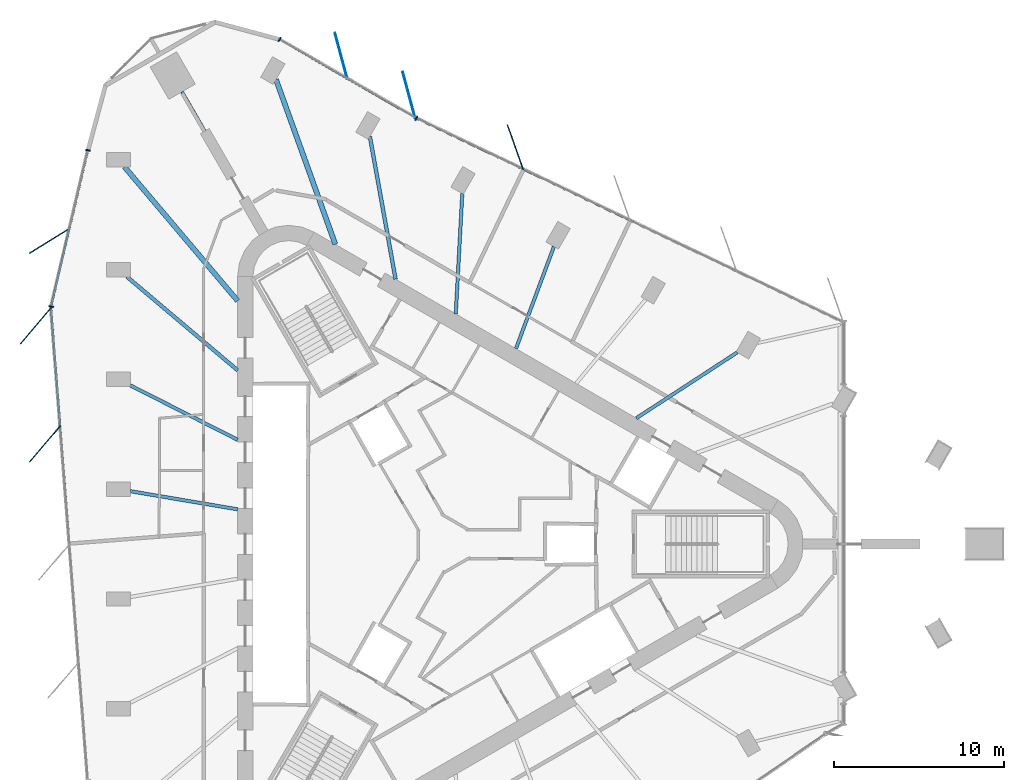
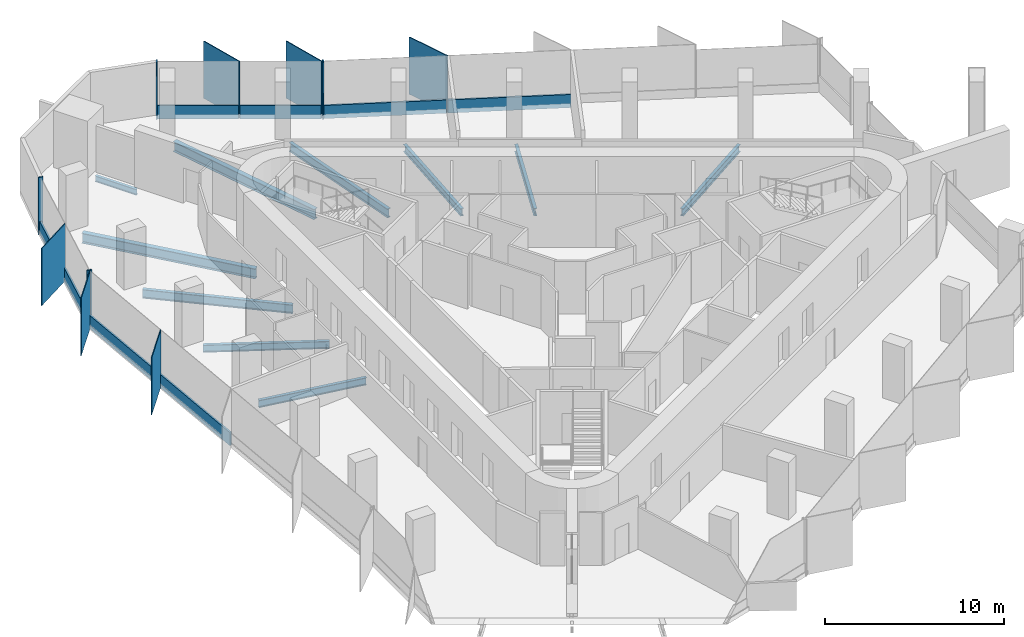
# One storey, part 4 of 12: 18 members, 10 beams, 4 elements without a shape of their own.
"""IFC4 building model written with IfcOpenShell, lengths in metres."""

from ifc_helpers import new_model, si_unit, direction, frame, origin, origin_2d, place, context, subcontext, project, spatial, rectangle, i_section, extrude, material, material_profile, profile_set, type_object, element, aggregate, save


model = new_model("IFC4")

# Units and contexts
model_context = context("Model", 3, precision=1e-05, world=origin(), true_north=direction((0.0, 1.0)))
body_context = subcontext(model_context, "Body", "Model", "MODEL_VIEW")
ifc_project = project(units=[si_unit("LENGTHUNIT", "METRE"), si_unit("AREAUNIT", "SQUARE_METRE"), si_unit("VOLUMEUNIT", "CUBIC_METRE"), si_unit("PLANEANGLEUNIT", "RADIAN"), si_unit("MASSUNIT", "GRAM", prefix="KILO")], contexts=[model_context])

# Site, building, storey
site_placement = place(None, origin())
site = spatial("IfcSite", under=ifc_project, at=site_placement, CompositionType="ELEMENT")
building_placement = place(site_placement, origin())
building = spatial("IfcBuilding", under=site, at=building_placement, Name="Tanit Gate Tower", CompositionType="ELEMENT")
storey_placement = place(building_placement, frame((0.0, 0.0, 372.800048828125)))
storey = spatial("IfcBuildingStorey", under=building, at=storey_placement, Name="L85", CompositionType="ELEMENT", Elevation=372.800048828125)

# Curtain wall, member
ifc_material_1 = material(Name="Aluminium bronze anodised and glass", Category="aluminium")
curtain_wall_type = type_object("IfcCurtainWallType", Name="Curtain wall typical high", PredefinedType="NOTDEFINED", material=ifc_material_1)
curtain_wall_1_placement = place(storey_placement, origin())
curtain_wall_1 = element("IfcCurtainWall", 1, at=curtain_wall_1_placement, inside=storey, type_object=curtain_wall_type, Name="Curtain wall L85 NE2c", PredefinedType="NOTDEFINED")
ifc_material_2 = material(Name="Aluminium bronze anodised", Category="aluminium")
ifc_material_profile_1 = material_profile(ifc_material_2, rectangle(XDim=2.800048828125, YDim=0.055908203125, at=origin_2d()), Name="56x2800 bronze fin mullion")
ifc_profile_set_1 = profile_set([ifc_material_profile_1], Name="Aluminium bronze anodised")
member_type_1 = type_object("IfcMemberType", Name="FIN MULLION 56x2800 bronze", PredefinedType="MULLION", material=ifc_profile_set_1)
member_1_placement = place(storey_placement, frame((4.23779296875, 23.365478515625, -0.300048828125), z_axis=(0.0, 0.0, 1.0), x_axis=(0.333090099539, -0.94289500242, 0.0)))
member_1 = element("IfcMember", 2, at=member_1_placement, type_object=member_type_1, Name="Fin mullion L85 NE2c.4", PredefinedType="MULLION", context=body_context, shape_type="SweptSolid", body=[
    extrude(rectangle(XDim=2.800048828125, YDim=0.055908203125, at=origin_2d()), origin(), (0.0, 0.0, 1.0), 3.89990234375),
])

# Curtain wall, members
curtain_wall_2_placement = place(storey_placement, origin())
curtain_wall_2 = element("IfcCurtainWall", 3, at=curtain_wall_2_placement, inside=storey, type_object=curtain_wall_type, Name="Curtain wall L85 NE3", PredefinedType="NOTDEFINED")
member_2_placement = place(storey_placement, frame((-2.0146484375, 26.436279296875, -0.300048828125), z_axis=(0.0, 0.0, 1.0), x_axis=(0.260143837676, -0.96556987511, 0.0)))
member_2 = element("IfcMember", 4, at=member_2_placement, type_object=member_type_1, Name="Fin mullion L85 NE3.1", PredefinedType="MULLION", context=body_context, shape_type="SweptSolid", body=[
    extrude(rectangle(XDim=2.800048828125, YDim=0.055908203125, at=origin_2d()), origin(), (0.0, 0.0, 1.0), 3.89990234375),
])
member_3_placement = place(storey_placement, frame((-6.00537109375, 28.733154296875, -0.300048828125), z_axis=(0.0, 0.0, 1.0), x_axis=(0.260143837676, -0.96556987511, 0.0)))
member_3 = element("IfcMember", 5, at=member_3_placement, type_object=member_type_1, Name="Fin mullion L85 NE3.2", PredefinedType="MULLION", context=body_context, shape_type="SweptSolid", body=[
    extrude(rectangle(XDim=2.800048828125, YDim=0.055908203125, at=origin_2d()), origin(), (0.0, 0.0, 1.0), 3.89990234375),
])

# Curtain wall, member
curtain_wall_3_placement = place(storey_placement, origin())
curtain_wall_3 = element("IfcCurtainWall", 6, at=curtain_wall_3_placement, inside=storey, type_object=curtain_wall_type, Name="Curtain wall L85 W1", PredefinedType="NOTDEFINED")
member_4_placement = place(storey_placement, frame((-23.168212890625, 17.8544921875, -0.300048828125), z_axis=(0.0, 0.0, 1.0), x_axis=(0.850209270383, 0.526444865637, 0.0)))
member_4 = element("IfcMember", 7, at=member_4_placement, type_object=member_type_1, Name="Fin mullion L85 W1.2", PredefinedType="MULLION", context=body_context, shape_type="SweptSolid", body=[
    extrude(rectangle(XDim=2.800048828125, YDim=0.055908203125, at=origin_2d()), origin(), (0.0, 0.0, 1.0), 3.89990234375),
])

# Curtain wall, members
curtain_wall_4_placement = place(storey_placement, origin())
curtain_wall_4 = element("IfcCurtainWall", 8, at=curtain_wall_4_placement, inside=storey, type_object=curtain_wall_type, Name="Curtain wall L85 W2", PredefinedType="NOTDEFINED")
member_5_placement = place(storey_placement, frame((-23.980224609375, 12.852294921875, -0.300048828125), z_axis=(0.0, 0.0, 1.0), x_axis=(0.650025975428, 0.75991198916, 0.0)))
member_5 = element("IfcMember", 9, at=member_5_placement, type_object=member_type_1, Name="Fin mullion L85 W2.1", PredefinedType="MULLION", context=body_context, shape_type="SweptSolid", body=[
    extrude(rectangle(XDim=2.800048828125, YDim=0.055908203125, at=origin_2d()), origin(), (0.0, 0.0, 1.0), 3.89990234375),
])
member_6_placement = place(storey_placement, frame((-23.438232421875, 5.900634765625, -0.300048828125), z_axis=(0.0, 0.0, 1.0), x_axis=(0.650025975428, 0.75991198916, 0.0)))
member_6 = element("IfcMember", 10, at=member_6_placement, type_object=member_type_1, Name="Fin mullion L85 W2.2", PredefinedType="MULLION", context=body_context, shape_type="SweptSolid", body=[
    extrude(rectangle(XDim=2.800048828125, YDim=0.055908203125, at=origin_2d()), origin(), (0.0, 0.0, 1.0), 3.89990234375),
])

# Member
ifc_material_3 = material(Name="Aluminium bronze anodised", Category="aluminium")
ifc_material_profile_2 = material_profile(ifc_material_3, rectangle(XDim=0.280029296875, YDim=0.080078125, at=origin_2d()), Name="80x280 bronze mullion")
ifc_profile_set_2 = profile_set([ifc_material_profile_2], Name="Aluminium bronze anodised")
member_type_2 = type_object("IfcMemberType", Name="Mullion 80x280 typical high", PredefinedType="MULLION", material=ifc_profile_set_2)
member_7_placement = place(storey_placement, frame((-1.584716796875, 25.06640625, -0.300048828125), z_axis=(0.0, 0.0, 1.0), x_axis=(-0.431197182029, -0.902257718288, 0.0)))
member_7 = element("IfcMember", 11, at=member_7_placement, type_object=member_type_2, Name="Mullion L85 NE2c.5", PredefinedType="MULLION", context=body_context, shape_type="SweptSolid", body=[
    extrude(rectangle(XDim=0.280029296875, YDim=0.080078125, at=origin_2d()), origin(), (0.0, 0.0, 1.0), 3.89990234375),
])

member_8_placement = place(storey_placement, frame((-9.63720703125, 29.697265625, -0.300048828125), z_axis=(0.0, 0.0, 1.0), x_axis=(-0.498811534695, -0.866710478104, 0.0)))
member_8 = element("IfcMember", 12, at=member_8_placement, type_object=member_type_2, Name="Mullion L85 NE3.3", PredefinedType="MULLION", context=body_context, shape_type="SweptSolid", body=[
    extrude(rectangle(XDim=0.280029296875, YDim=0.080078125, at=origin_2d()), origin(), (0.0, 0.0, 1.0), 3.89990234375),
])

member_9_placement = place(storey_placement, frame((-20.91259765625, 23.182373046875, -0.300048828125), z_axis=(0.0, 0.0, 1.0), x_axis=(0.973441474928, -0.228936006103, 0.0)))
member_9 = element("IfcMember", 13, at=member_9_placement, type_object=member_type_2, Name="Mullion L85 W1.1", PredefinedType="MULLION", context=body_context, shape_type="SweptSolid", body=[
    extrude(rectangle(XDim=0.280029296875, YDim=0.080078125, at=origin_2d()), origin(), (0.0, 0.0, 1.0), 3.89990234375),
])

member_10_placement = place(storey_placement, frame((-23.076904296875, 13.97998046875, -0.300048828125), z_axis=(0.0, 0.0, 1.0), x_axis=(0.973441474928, -0.228936006103, 0.0)))
member_10 = element("IfcMember", 14, at=member_10_placement, type_object=member_type_2, Name="Mullion L85 W1.3", PredefinedType="MULLION", context=body_context, shape_type="SweptSolid", body=[
    extrude(rectangle(XDim=0.280029296875, YDim=0.080078125, at=origin_2d()), origin(), (0.0, 0.0, 1.0), 3.89990234375),
])

# Beams
ifc_material_4 = material(Name="Steel S355", Category="steel")
ifc_material_profile_3 = material_profile(ifc_material_4, i_section(OverallWidth=0.300048828125, OverallDepth=0.68994140625, WebThickness=0.014404296875, FlangeThickness=0.027099609375, FilletRadius=0.027099609375, at=origin_2d()), Name="HEA 700")
ifc_profile_set_3 = profile_set([ifc_material_profile_3], Name="Steel S355")
beam_type_1 = type_object("IfcBeamType", Name="RADIAL GIRDER HEA 700 S355", PredefinedType="BEAM", material=ifc_profile_set_3)
beam_1_placement = place(storey_placement, frame((-9.84423828125, 27.346435546875, -0.64501953125), z_axis=(0.338716116064, -0.940888618657, 0.0), x_axis=(0.940888618657, 0.338716116064, 0.0)))
element("IfcBeam", 15, at=beam_1_placement, inside=storey, type_object=beam_type_1, Name="RADIAL GIRDER", PredefinedType="BEAM", context=body_context, shape_type="SweptSolid", body=[
    extrude(i_section(OverallWidth=0.300048828125, OverallDepth=0.68994140625, WebThickness=0.014404296875, FlangeThickness=0.027099609375, FilletRadius=0.027099609375, at=origin_2d()), origin(), (0.0, 0.0, 1.0), 10.31591796875),
])
beam_2_placement = place(storey_placement, frame((-18.7607421875, 22.198486328125, -0.64501953125), z_axis=(0.645485929832, -0.763772161308, 0.0), x_axis=(0.763772161308, 0.645485929832, 0.0)))
element("IfcBeam", 16, at=beam_2_placement, inside=storey, type_object=beam_type_1, Name="RADIAL GIRDER", PredefinedType="BEAM", context=body_context, shape_type="SweptSolid", body=[
    extrude(i_section(OverallWidth=0.300048828125, OverallDepth=0.68994140625, WebThickness=0.014404296875, FlangeThickness=0.027099609375, FilletRadius=0.027099609375, at=origin_2d()), origin(), (0.0, 0.0, 1.0), 10.315673828125),
])
ifc_material_5 = material(Name="Steel S355", Category="steel")
ifc_material_profile_4 = material_profile(ifc_material_5, i_section(OverallWidth=0.179931640625, OverallDepth=0.39990234375, WebThickness=0.008544921875, FlangeThickness=0.013427734375, FilletRadius=0.02099609375, at=origin_2d()), Name="IPE 400")
ifc_profile_set_4 = profile_set([ifc_material_profile_4], Name="Steel S355")
beam_type_2 = type_object("IfcBeamType", Name="RADIAL GIRDER IPE 400 S355", PredefinedType="BEAM", material=ifc_profile_set_4)
beam_3_placement = place(storey_placement, frame((-15.371826171875, 26.624755859375, -0.5), z_axis=(0.500020336772, -0.866013662025, 0.0), x_axis=(0.866013662025, 0.500020336772, 0.0)))
element("IfcBeam", 17, at=beam_3_placement, inside=storey, type_object=beam_type_2, Name="RADIAL GIRDER", PredefinedType="BEAM", context=body_context, shape_type="SweptSolid", body=[
    extrude(i_section(OverallWidth=0.179931640625, OverallDepth=0.39990234375, WebThickness=0.008544921875, FlangeThickness=0.013427734375, FilletRadius=0.02099609375, at=origin_2d()), origin(), (0.0, 0.0, 1.0), 2.67236328125),
])
ifc_material_6 = material(Name="Steel S355", Category="steel")
ifc_material_profile_5 = material_profile(ifc_material_6, i_section(OverallWidth=0.199951171875, OverallDepth=0.5, WebThickness=0.01025390625, FlangeThickness=0.01611328125, FilletRadius=0.02099609375, at=origin_2d()), Name="IPE 500")
ifc_profile_set_5 = profile_set([ifc_material_profile_5], Name="Steel S355")
beam_type_3 = type_object("IfcBeamType", Name="RADIAL GIRDER IPE 500 S355", PredefinedType="BEAM", material=ifc_profile_set_5)
beam_4_placement = place(storey_placement, frame((17.29931640625, 11.28173828125, -0.550048828125), z_axis=(-0.837617453042, -0.546257267557, 0.0), x_axis=(0.546257267557, -0.837617453042, 0.0)))
element("IfcBeam", 18, at=beam_4_placement, inside=storey, type_object=beam_type_3, Name="RADIAL GIRDER", PredefinedType="BEAM", context=body_context, shape_type="SweptSolid", body=[
    extrude(i_section(OverallWidth=0.199951171875, OverallDepth=0.5, WebThickness=0.01025390625, FlangeThickness=0.01611328125, FilletRadius=0.02099609375, at=origin_2d()), origin(), (0.0, 0.0, 1.0), 7.083984375),
])
beam_5_placement = place(storey_placement, frame((6.513427734375, 17.5087890625, -0.550048828125), z_axis=(-0.348675335888, -0.93724357034, 0.0), x_axis=(0.93724357034, -0.348675335888, 0.0)))
element("IfcBeam", 19, at=beam_5_placement, inside=storey, type_object=beam_type_3, Name="RADIAL GIRDER", PredefinedType="BEAM", context=body_context, shape_type="SweptSolid", body=[
    extrude(i_section(OverallWidth=0.199951171875, OverallDepth=0.5, WebThickness=0.01025390625, FlangeThickness=0.01611328125, FilletRadius=0.02099609375, at=origin_2d()), origin(), (0.0, 0.0, 1.0), 6.407470703125),
])
beam_6_placement = place(storey_placement, frame((1.12060546875, 20.62255859375, -0.550048828125), z_axis=(-0.054280812933, -0.998525709908, 0.0), x_axis=(0.998525709908, -0.054280812933, 0.0)))
element("IfcBeam", 20, at=beam_6_placement, inside=storey, type_object=beam_type_3, Name="RADIAL GIRDER", PredefinedType="BEAM", context=body_context, shape_type="SweptSolid", body=[
    extrude(i_section(OverallWidth=0.199951171875, OverallDepth=0.5, WebThickness=0.01025390625, FlangeThickness=0.01611328125, FilletRadius=0.02099609375, at=origin_2d()), origin(), (0.0, 0.0, 1.0), 7.083984375),
])
beam_7_placement = place(storey_placement, frame((-18.419921875, 9.3408203125, -0.550048828125), z_axis=(0.891876205065, -0.452279598078, 0.0), x_axis=(0.452279598078, 0.891876205065, 0.0)))
element("IfcBeam", 21, at=beam_7_placement, inside=storey, type_object=beam_type_3, Name="RADIAL GIRDER", PredefinedType="BEAM", context=body_context, shape_type="SweptSolid", body=[
    extrude(i_section(OverallWidth=0.199951171875, OverallDepth=0.5, WebThickness=0.01025390625, FlangeThickness=0.01611328125, FilletRadius=0.02099609375, at=origin_2d()), origin(), (0.0, 0.0, 1.0), 7.083740234375),
])
beam_8_placement = place(storey_placement, frame((-18.419921875, 3.113525390625, -0.550048828125), z_axis=(0.986014426504, -0.166659985375, 0.0), x_axis=(0.166659985375, 0.986014426504, 0.0)))
element("IfcBeam", 22, at=beam_8_placement, inside=storey, type_object=beam_type_3, Name="RADIAL GIRDER", PredefinedType="BEAM", context=body_context, shape_type="SweptSolid", body=[
    extrude(i_section(OverallWidth=0.199951171875, OverallDepth=0.5, WebThickness=0.01025390625, FlangeThickness=0.01611328125, FilletRadius=0.02099609375, at=origin_2d()), origin(), (0.0, 0.0, 1.0), 6.407470703125),
])
ifc_material_7 = material(Name="Steel S355", Category="steel")
ifc_material_profile_6 = material_profile(ifc_material_7, i_section(OverallWidth=0.219970703125, OverallDepth=0.60009765625, WebThickness=0.011962890625, FlangeThickness=0.01904296875, FilletRadius=0.02392578125, at=origin_2d()), Name="IPE 600")
ifc_profile_set_6 = profile_set([ifc_material_profile_6], Name="Steel S355")
beam_type_4 = type_object("IfcBeamType", Name="RADIAL GIRDER IPE 600 S355", PredefinedType="BEAM", material=ifc_profile_set_6)
beam_9_placement = place(storey_placement, frame((-4.318115234375, 23.990234375, -0.60009765625), z_axis=(0.177157433794, -0.984182525577, 0.0), x_axis=(0.984182525577, 0.177157433794, 0.0)))
element("IfcBeam", 23, at=beam_9_placement, inside=storey, type_object=beam_type_4, Name="RADIAL GIRDER", PredefinedType="BEAM", context=body_context, shape_type="SweptSolid", body=[
    extrude(i_section(OverallWidth=0.219970703125, OverallDepth=0.60009765625, WebThickness=0.011962890625, FlangeThickness=0.01904296875, FilletRadius=0.02392578125, at=origin_2d()), origin(), (0.0, 0.0, 1.0), 8.530517578125),
])
beam_10_placement = place(storey_placement, frame((-18.616943359375, 15.734619140625, -0.60009765625), z_axis=(0.763747676896, -0.645514899933, 0.0), x_axis=(0.645514899933, 0.763747676896, 0.0)))
element("IfcBeam", 24, at=beam_10_placement, inside=storey, type_object=beam_type_4, Name="RADIAL GIRDER", PredefinedType="BEAM", context=body_context, shape_type="SweptSolid", body=[
    extrude(i_section(OverallWidth=0.219970703125, OverallDepth=0.60009765625, WebThickness=0.011962890625, FlangeThickness=0.01904296875, FilletRadius=0.02392578125, at=origin_2d()), origin(), (0.0, 0.0, 1.0), 8.5302734375),
])

# Member
ifc_material_8 = material(Name="Aluminium bronze anodised", Category="aluminium")
ifc_material_profile_7 = material_profile(ifc_material_8, rectangle(XDim=0.1201171875, YDim=0.89990234375, at=origin_2d()), Name="120x900 bronze transom")
ifc_profile_set_7 = profile_set([ifc_material_profile_7], Name="Aluminium bronze anodised")
member_type_3 = type_object("IfcMemberType", Name="Transom 120x900 typical high", PredefinedType="USERDEFINED", material=ifc_profile_set_7)
member_11_placement = place(storey_placement, frame((10.94384765625, 19.078857421875, 0.14990234375), z_axis=(-0.902251839546, 0.431209482776, 0.0), x_axis=(-0.431209482776, -0.902251839546, 0.0)))
member_11 = element("IfcMember", 25, at=member_11_placement, type_object=member_type_3, Name="Transom L85 NE2c.3", ObjectType="TRANSOM", PredefinedType="USERDEFINED", context=body_context, shape_type="SweptSolid", body=[
    extrude(rectangle(XDim=0.1201171875, YDim=0.89990234375, at=origin_2d()), origin(), (0.0, 0.0, 1.0), 6.883056640625),
])

member_12_placement = place(storey_placement, frame((4.661376953125, 22.081298828125, 0.14990234375), z_axis=(-0.902251839546, 0.431209482776, 0.0), x_axis=(-0.431209482776, -0.902251839546, 0.0)))
member_12 = element("IfcMember", 26, at=member_12_placement, type_object=member_type_3, Name="Transom L85 NE2c.4", ObjectType="TRANSOM", PredefinedType="USERDEFINED", context=body_context, shape_type="SweptSolid", body=[
    extrude(rectangle(XDim=0.1201171875, YDim=0.89990234375, at=origin_2d()), origin(), (0.0, 0.0, 1.0), 6.883056640625),
])

aggregate(curtain_wall_1, [member_1, member_7, member_11, member_12])

member_13_placement = place(storey_placement, frame((-1.690185546875, 25.12353515625, 0.14990234375), z_axis=(-0.866711533499, 0.498809700888, 0.0), x_axis=(-0.498809700888, -0.866711533499, 0.0)))
member_13 = element("IfcMember", 27, at=member_13_placement, type_object=member_type_3, Name="Transom L85 NE3.1", ObjectType="TRANSOM", PredefinedType="USERDEFINED", context=body_context, shape_type="SweptSolid", body=[
    extrude(rectangle(XDim=0.1201171875, YDim=0.89990234375, at=origin_2d()), origin(), (0.0, 0.0, 1.0), 4.5244140625),
])

member_14_placement = place(storey_placement, frame((-5.680908203125, 27.42041015625, 0.14990234375), z_axis=(-0.866724958498, 0.498786373427, 0.0), x_axis=(-0.498786373427, -0.866724958498, 0.0)))
member_14 = element("IfcMember", 28, at=member_14_placement, type_object=member_type_3, Name="Transom L85 NE3.2", ObjectType="TRANSOM", PredefinedType="USERDEFINED", context=body_context, shape_type="SweptSolid", body=[
    extrude(rectangle(XDim=0.1201171875, YDim=0.89990234375, at=origin_2d()), origin(), (0.0, 0.0, 1.0), 4.524658203125),
])

aggregate(curtain_wall_2, [member_2, member_3, member_8, member_13, member_14])

member_15_placement = place(storey_placement, frame((-20.921875, 23.143310546875, 0.14990234375), z_axis=(-0.228925118087, -0.97344403553, 0.0), x_axis=(0.97344403553, -0.228925118087, 0.0)))
member_15 = element("IfcMember", 29, at=member_15_placement, type_object=member_type_3, Name="Transom L85 W1.1", ObjectType="TRANSOM", PredefinedType="USERDEFINED", context=body_context, shape_type="SweptSolid", body=[
    extrude(rectangle(XDim=0.1201171875, YDim=0.89990234375, at=origin_2d()), origin(), (0.0, 0.0, 1.0), 4.646484375),
])

member_16_placement = place(storey_placement, frame((-22.00390625, 18.542236328125, 0.14990234375), z_axis=(-0.228913409925, -0.973446788867, 0.0), x_axis=(0.973446788867, -0.228913409925, 0.0)))
member_16 = element("IfcMember", 30, at=member_16_placement, type_object=member_type_3, Name="Transom L85 W1.2", ObjectType="TRANSOM", PredefinedType="USERDEFINED", context=body_context, shape_type="SweptSolid", body=[
    extrude(rectangle(XDim=0.1201171875, YDim=0.89990234375, at=origin_2d()), origin(), (0.0, 0.0, 1.0), 4.646728515625),
])

aggregate(curtain_wall_3, [member_9, member_4, member_10, member_15, member_16])

member_17_placement = place(storey_placement, frame((-23.079833984375, 13.861328125, 0.14990234375), z_axis=(0.077709444771, -0.996976048957, 0.0), x_axis=(0.996976048957, 0.077709444771, 0.0)))
member_17 = element("IfcMember", 31, at=member_17_placement, type_object=member_type_3, Name="Transom L85 W2.1", ObjectType="TRANSOM", PredefinedType="USERDEFINED", context=body_context, shape_type="SweptSolid", body=[
    extrude(rectangle(XDim=0.1201171875, YDim=0.89990234375, at=origin_2d()), origin(), (0.0, 0.0, 1.0), 6.892822265625),
])

member_18_placement = place(storey_placement, frame((-22.5380859375, 6.909423828125, 0.14990234375), z_axis=(0.077712188941, -0.996975835058, 0.0), x_axis=(0.996975835058, 0.077712188941, 0.0)))
member_18 = element("IfcMember", 32, at=member_18_placement, type_object=member_type_3, Name="Transom L85 W2.2", ObjectType="TRANSOM", PredefinedType="USERDEFINED", context=body_context, shape_type="SweptSolid", body=[
    extrude(rectangle(XDim=0.1201171875, YDim=0.89990234375, at=origin_2d()), origin(), (0.0, 0.0, 1.0), 6.892578125),
])

aggregate(curtain_wall_4, [member_5, member_6, member_17, member_18])

save(model, "model.ifc")
